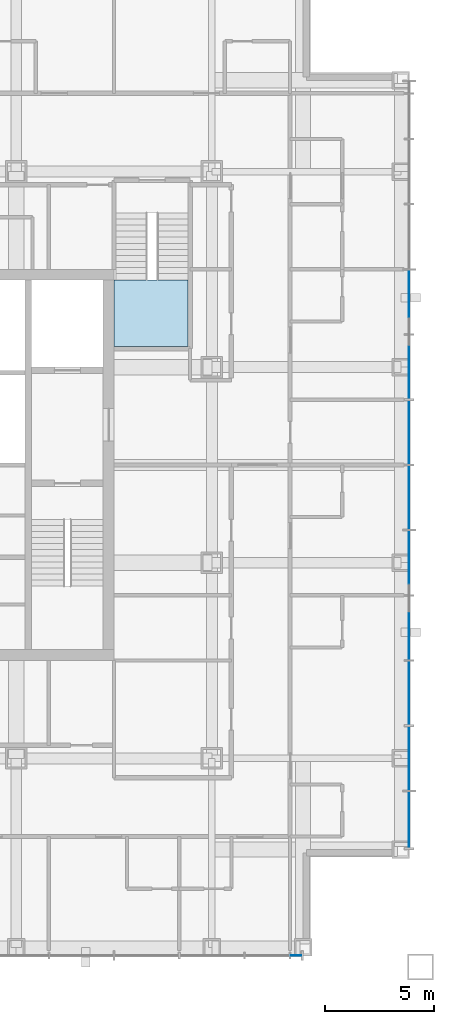
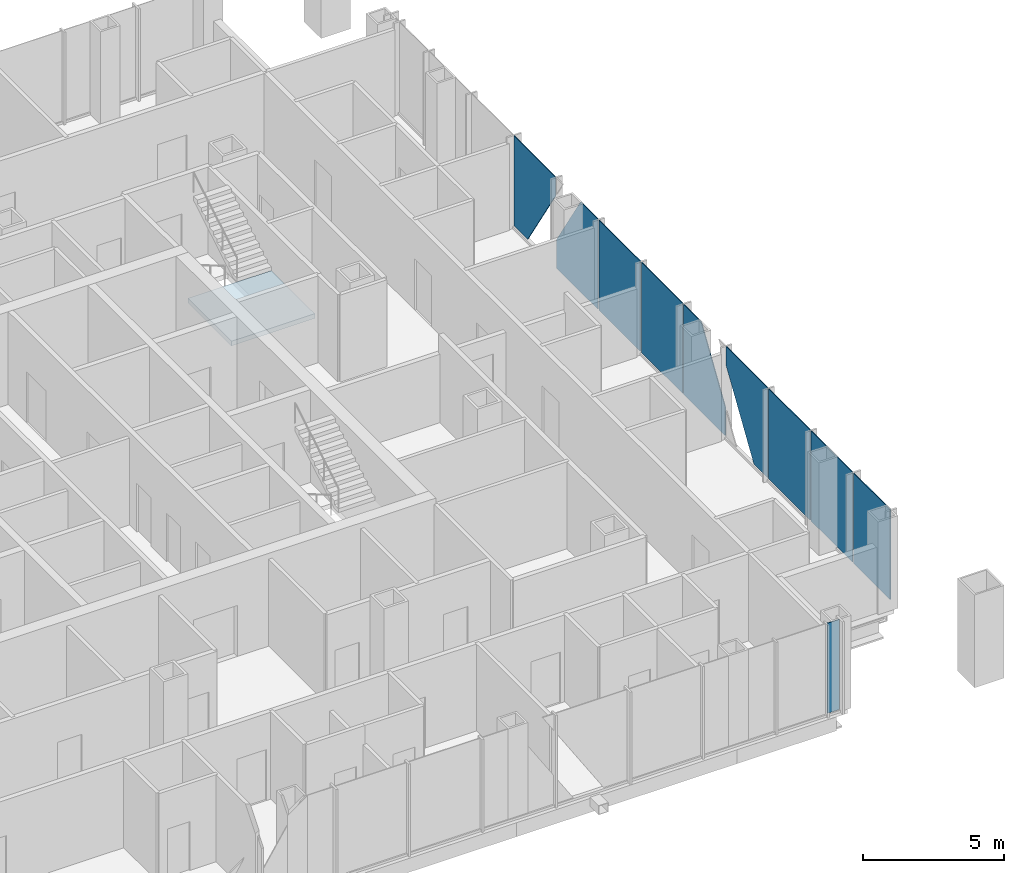
# One storey, part 9 of 20: 10 plates, 1 slab, 3 elements without a shape of their own.
"""IFC4 building model written with IfcOpenShell, lengths in metres."""

import ifcopenshell
import ifcopenshell.guid

model = None  # the IFC model being written
_history = None  # IfcOwnerHistory: only IFC2X3 demands one
_inside = {}  # id of a spatial element -> (the spatial element, [elements in it])
_under = {}  # id of a project, library or spatial element -> (it, [spatial elements below it])
_declared = {}  # id of a project -> (the project, [libraries it declares])
_typed = {}  # id of a type object -> (the type object, [elements of that type])
_made_of = {}  # id of a material, layer set ... -> (it, [elements and type objects made of it])


def new_model(schema):
    """Start an empty IFC model of exactly this schema.

    Asked for "IFC4X3", IfcOpenShell would pick the latest addendum, in which some entities
    have other attributes; the version numbers below select the first issue.
    IFC2X3 requires an IfcOwnerHistory on every rooted entity: one is made here for all.
    """
    global model, _history
    if schema == "IFC4X3":
        model = ifcopenshell.file(schema_version=(4, 3, 0, 0))
    else:
        model = ifcopenshell.file(schema=schema)
    _inside.clear()
    _under.clear()
    _declared.clear()
    _typed.clear()
    _made_of.clear()
    _history = None
    if model.schema == "IFC2X3":
        org = make("IfcOrganization", Name="unknown")
        user = make(
            "IfcPersonAndOrganization",
            ThePerson=make("IfcPerson", FamilyName="unknown"),
            TheOrganization=org,
        )
        app = make(
            "IfcApplication",
            ApplicationDeveloper=org,
            Version="unknown",
            ApplicationFullName="unknown",
            ApplicationIdentifier="unknown",
        )
        _history = make(
            "IfcOwnerHistory",
            OwningUser=user,
            OwningApplication=app,
            ChangeAction="ADDED",
            CreationDate=0,
        )
    return model


def make(cls, **values):
    """One entity of the class cls with the attributes given. An attribute that is None is left unset."""
    return model.create_entity(
        cls, **{name: value for name, value in values.items() if value is not None}
    )


def rooted(cls, **values):
    """An entity with a GlobalId (a new one), such as an element, a storey or a relation."""
    return make(cls, GlobalId=ifcopenshell.guid.new(), OwnerHistory=_history, **values)


def si_unit(unit_type, name, prefix=None):
    """IfcSIUnit, for example si_unit("LENGTHUNIT", "METRE", prefix="MILLI")."""
    return make("IfcSIUnit", UnitType=unit_type, Prefix=prefix, Name=name)


def assignment(units):
    """IfcUnitAssignment: the units of a project."""
    return None if units is None else make("IfcUnitAssignment", Units=units)


def point(xyz):
    """IfcCartesianPoint."""
    return None if xyz is None else make("IfcCartesianPoint", Coordinates=xyz)


def direction(xyz):
    """IfcDirection."""
    return None if xyz is None else make("IfcDirection", DirectionRatios=xyz)


def frame(location, z_axis=None, x_axis=None):
    """IfcAxis2Placement3D, a coordinate frame: its origin and axes. An axis left out is left unset."""
    return make(
        "IfcAxis2Placement3D",
        Location=point(location),
        Axis=direction(z_axis),
        RefDirection=direction(x_axis),
    )


def frame_2d(location, x_axis=None):
    """IfcAxis2Placement2D, a coordinate frame in the plane: its origin and x axis."""
    return make(
        "IfcAxis2Placement2D", Location=point(location), RefDirection=direction(x_axis)
    )


def origin():
    """The frame at (0, 0, 0) with its axes left unset."""
    return frame((0.0, 0.0, 0.0))


def origin_2d():
    """The frame at (0, 0) in the plane with its x axis left unset."""
    return frame_2d((0.0, 0.0))


def place(relative_to, where):
    """IfcLocalPlacement: puts the frame where relative to a parent placement (None: the world)."""
    return make(
        "IfcLocalPlacement", PlacementRelTo=relative_to, RelativePlacement=where
    )


def context(
    kind, dimensions, precision=None, world=None, true_north=None, identifier=None
):
    """IfcGeometricRepresentationContext, for example the 3D "Model" context."""
    return make(
        "IfcGeometricRepresentationContext",
        ContextIdentifier=identifier,
        ContextType=kind,
        CoordinateSpaceDimension=dimensions,
        Precision=precision,
        WorldCoordinateSystem=world,
        TrueNorth=true_north,
    )


def subcontext(parent, identifier, kind, view, scale=None):
    """IfcGeometricRepresentationSubContext, for example "Body" below "Model"."""
    return make(
        "IfcGeometricRepresentationSubContext",
        ContextIdentifier=identifier,
        ContextType=kind,
        ParentContext=parent,
        TargetScale=scale,
        TargetView=view,
    )


def project(units=None, contexts=None):
    """IfcProject with its units and contexts."""
    return rooted(
        "IfcProject",
        Name="project",
        RepresentationContexts=contexts,
        UnitsInContext=assignment(units),
    )


def spatial(cls, under=None, at=None, **own):
    """A site, building, storey or space (cls), placed at a placement, below another one or the project."""
    s = rooted(cls, ObjectPlacement=at, **own)
    if under is not None:
        _under.setdefault(under.id(), (under, []))[1].append(s)
    return s


def polyline(points):
    """IfcPolyline through the points."""
    return make("IfcPolyline", Points=[point(p) for p in points])


def profile(cls, at=None, kind="AREA", **sizes):
    """A parametric profile (cls). Its sizes go by their IFC names, for example OverallWidth=200.0."""
    return make(cls, ProfileType=kind, Position=at, **sizes)


def rectangle(**sizes):
    """IfcRectangleProfileDef."""
    return profile("IfcRectangleProfileDef", **sizes)


def outline(outer, holes=None, kind="AREA"):
    """IfcArbitraryClosedProfileDef: a profile drawn as a closed curve; with holes, ...WithVoids."""
    if holes is None:
        return make("IfcArbitraryClosedProfileDef", ProfileType=kind, OuterCurve=outer)
    return make(
        "IfcArbitraryProfileDefWithVoids",
        ProfileType=kind,
        OuterCurve=outer,
        InnerCurves=holes,
    )


def extrude(swept, where, along, depth):
    """IfcExtrudedAreaSolid: the profile swept, set in the frame where, extruded along a direction by depth."""
    return make(
        "IfcExtrudedAreaSolid",
        SweptArea=swept,
        Position=where,
        ExtrudedDirection=direction(along),
        Depth=depth,
    )


def shape(context_of_items, identifier, shape_type, items):
    """IfcShapeRepresentation: the items that make up one representation, for example the "Body"."""
    return make(
        "IfcShapeRepresentation",
        ContextOfItems=context_of_items,
        RepresentationIdentifier=identifier,
        RepresentationType=shape_type,
        Items=items,
    )


def material(Name=None, Category=None):
    """IfcMaterial."""
    return make("IfcMaterial", Name=Name, Category=Category)


def layer(
    of_material, thickness, ventilated=None, Name=None, Category=None, Priority=None
):
    """IfcMaterialLayer: one layer of a wall or slab, of a material (None: an air gap)."""
    return make(
        "IfcMaterialLayer",
        Material=of_material,
        LayerThickness=thickness,
        IsVentilated=ventilated,
        Name=Name,
        Category=Category,
        Priority=Priority,
    )


def layer_set(layers, Name=None):
    """IfcMaterialLayerSet."""
    return make("IfcMaterialLayerSet", MaterialLayers=layers, LayerSetName=Name)


def made_of(thing, what):
    """Note that an element or type object is made of a material, layer set ...; save() writes the relation."""
    if what is not None:
        _made_of.setdefault(what.id(), (what, []))[1].append(thing)
    return thing


def type_object(cls, material=None, **own):
    """A type object (cls), such as IfcWallType, which elements share."""
    return made_of(rooted(cls, **own), material)


def element(
    cls,
    number,
    at=None,
    inside=None,
    cuts=None,
    type_object=None,
    material=None,
    context=None,
    identifier="Body",
    shape_type=None,
    held_by="IfcProductDefinitionShape",
    body=None,
    shapes=None,
    **own,
):
    """One element of the class cls, such as IfcWall. Its Tag is "e" and its number.

    at: its placement. inside: the storey or other place that contains it. cuts: it is an
    opening in that element (IfcRelVoidsElement). A single representation is given by context,
    identifier, shape_type and body (its items); several are given by shapes. held_by: the class
    of the entity that holds the representations. save() writes the other relations.
    """
    e = rooted(cls, Tag="e%d" % number, ObjectPlacement=at, **own)
    if body is not None:
        shapes = [shape(context, identifier, shape_type, body)]
    if shapes is not None:
        e.Representation = make(held_by, Representations=shapes)
    if inside is not None:
        _inside.setdefault(inside.id(), (inside, []))[1].append(e)
    if cuts is not None:
        rooted(
            "IfcRelVoidsElement", RelatingBuildingElement=cuts, RelatedOpeningElement=e
        )
    if type_object is not None:
        _typed.setdefault(type_object.id(), (type_object, []))[1].append(e)
    return made_of(e, material)


def aggregate(whole, parts):
    """IfcRelAggregates: a whole, such as a stair, and the parts it consists of."""
    return rooted("IfcRelAggregates", RelatingObject=whole, RelatedObjects=parts)


def save(model, path):
    """Write the relations noted so far, then the file.

    IfcRelAggregates (storeys below a building ...), IfcRelContainedInSpatialStructure (elements
    in a storey), IfcRelDefinesByType, IfcRelAssociatesMaterial and IfcRelDeclares: one each for
    every whole, place, type object, material and project.
    """
    for whole, parts in _under.values():
        aggregate(whole, parts)
    for where, things in _inside.values():
        rooted(
            "IfcRelContainedInSpatialStructure",
            RelatedElements=things,
            RelatingStructure=where,
        )
    for kind, things in _typed.values():
        rooted("IfcRelDefinesByType", RelatedObjects=things, RelatingType=kind)
    for what, things in _made_of.values():
        rooted("IfcRelAssociatesMaterial", RelatedObjects=things, RelatingMaterial=what)
    for by, libraries in _declared.values():
        rooted("IfcRelDeclares", RelatingContext=by, RelatedDefinitions=libraries)
    model.write(path)


model = new_model("IFC4")

# Units and contexts
model_context = context("Model", 3, precision=1e-05, world=origin(), true_north=direction((0.0, 1.0)))
body_context = subcontext(model_context, "Body", "Model", "MODEL_VIEW")
ifc_project = project(units=[si_unit("LENGTHUNIT", "METRE"), si_unit("AREAUNIT", "SQUARE_METRE"), si_unit("VOLUMEUNIT", "CUBIC_METRE"), si_unit("PLANEANGLEUNIT", "RADIAN"), si_unit("MASSUNIT", "GRAM", prefix="KILO")], contexts=[model_context])

# Site, building, storey
site_placement = place(None, origin())
site = spatial("IfcSite", under=ifc_project, at=site_placement, CompositionType="ELEMENT")
building_placement = place(site_placement, origin())
building = spatial("IfcBuilding", under=site, at=building_placement, Name="Malebo Sky Hospital", CompositionType="ELEMENT")
storey_placement = place(building_placement, frame((0.0, 0.0, 233.0)))
storey = spatial("IfcBuildingStorey", under=building, at=storey_placement, Name="L56", CompositionType="ELEMENT", Elevation=233.0)

# Stair, slab
ifc_material_1 = material(Name="Concrete C40/50", Category="concrete")
stair_type = type_object("IfcStairType", Name="HALF-TURN STAIR 1400 R167", PredefinedType="HALF_TURN_STAIR", material=ifc_material_1)
stair_placement = place(storey_placement, origin())
stair = element("IfcStair", 1, at=stair_placement, inside=storey, type_object=stair_type, Name="Stair S3 L56 type ST1B", PredefinedType="HALF_TURN_STAIR")
ifc_layer_1 = layer(ifc_material_1, 0.199951171875)
ifc_layer_set_1 = layer_set([ifc_layer_1], Name="STAIR LANDING 200")
slab_type = type_object("IfcSlabType", Name="STAIR LANDING 200", PredefinedType="LANDING", material=ifc_layer_set_1)
slab_placement = place(storey_placement, frame((0.0, 0.0, 1.800048828125)))
slab = element("IfcSlab", 2, at=slab_placement, type_object=slab_type, Name="S3 landing 2", PredefinedType="LANDING", context=body_context, shape_type="SweptSolid", body=[
    extrude(outline(polyline([(69.0, 67.449951171875), (72.39990234375, 67.449951171875), (72.39990234375, 70.52001953125), (69.0, 70.52001953125), (69.0, 67.449951171875)])), origin(), (0.0, 0.0, 1.0), 0.199951171875),
])
aggregate(stair, [slab])

# Curtain wall, plate
ifc_material_2 = material(Name="Anodised aluminium, natural silver", Category="aluminium")
ifc_layer_2 = layer(ifc_material_2, 0.25)
ifc_layer_set_2 = layer_set([ifc_layer_2], Name="WARD CURTAIN WALL NORTH AND SOUTH")
curtain_wall_type_1 = type_object("IfcCurtainWallType", Name="WARD CURTAIN WALL NORTH AND SOUTH", PredefinedType="NOTDEFINED", material=ifc_layer_set_2)
curtain_wall_1_placement = place(storey_placement, origin())
curtain_wall_1 = element("IfcCurtainWall", 3, at=curtain_wall_1_placement, inside=storey, type_object=curtain_wall_type_1, Name="NS curtain wall S", PredefinedType="NOTDEFINED")
ifc_material_3 = material(Name="Clear low-iron double glazing", Category="glass")
ifc_layer_3 = layer(ifc_material_3, 0.031982421875)
ifc_layer_set_3 = layer_set([ifc_layer_3], Name="VISION PANEL CLEAR 32")
plate_type = type_object("IfcPlateType", Name="VISION PANEL CLEAR 32", PredefinedType="CURTAIN_PANEL", material=ifc_layer_set_3)
plate_1_placement = place(storey_placement, frame((77.38134765625, 39.425048828125, 0.10009765625), z_axis=(0.0, 0.0, 1.0), x_axis=(-1.0, 0.0, 0.0)))
plate_1 = element("IfcPlate", 4, at=plate_1_placement, type_object=plate_type, Name="Panel 1", PredefinedType="CURTAIN_PANEL", context=body_context, shape_type="SweptSolid", body=[
    extrude(rectangle(XDim=0.487548828125, YDim=0.031982421875, at=origin_2d()), origin(), (0.0, 0.0, 1.0), 3.889892578125),
])
aggregate(curtain_wall_1, [plate_1])

# Curtain wall, plates
ifc_layer_4 = layer(ifc_material_2, 0.25)
ifc_layer_set_4 = layer_set([ifc_layer_4], Name="WARD CURTAIN WALL EAST AND WEST")
curtain_wall_type_2 = type_object("IfcCurtainWallType", Name="WARD CURTAIN WALL EAST AND WEST", PredefinedType="NOTDEFINED", material=ifc_layer_set_4)
curtain_wall_2_placement = place(storey_placement, origin())
curtain_wall_2 = element("IfcCurtainWall", 5, at=curtain_wall_2_placement, inside=storey, type_object=curtain_wall_type_2, Name="EW curtain wall E", PredefinedType="NOTDEFINED")
plate_2_placement = place(storey_placement, frame((82.574951171875, 69.5, 0.10009765625), z_axis=(0.0, 0.0, 1.0), x_axis=(0.0, -1.0, 0.0)))
plate_2 = element("IfcPlate", 6, at=plate_2_placement, type_object=plate_type, Name="Panel 5", PredefinedType="CURTAIN_PANEL", context=body_context, shape_type="SweptSolid", body=[
    extrude(outline(polyline([(-1.46240234375, 0.0), (-0.503662109375, 0.0), (1.46240234375, 3.064208984375), (1.46240234375, 3.889892578125), (-1.46240234375, 3.889892578125), (-1.46240234375, 0.0)])), frame((0.0, 0.01611328125, 0.0), z_axis=(0.0, -1.0, 0.0), x_axis=(1.0, 0.0, 0.0)), (0.0, 0.0, 1.0), 0.031982421875),
])
plate_3_placement = place(storey_placement, frame((82.574951171875, 66.5, 0.10009765625), z_axis=(0.0, 0.0, 1.0), x_axis=(0.0, -1.0, 0.0)))
plate_3 = element("IfcPlate", 7, at=plate_3_placement, type_object=plate_type, Name="Panel 6", PredefinedType="CURTAIN_PANEL", context=body_context, shape_type="SweptSolid", body=[
    extrude(outline(polyline([(-1.46240234375, 0.0), (1.46240234375, 0.0), (1.46240234375, 3.889892578125), (0.2412109375, 3.889892578125), (-1.46240234375, 1.23486328125), (-1.46240234375, 0.0)])), frame((0.0, 0.01611328125, 0.0), z_axis=(0.0, -1.0, 0.0), x_axis=(1.0, 0.0, 0.0)), (0.0, 0.0, 1.0), 0.031982421875),
])
plate_4_placement = place(storey_placement, frame((82.574951171875, 63.5, 0.10009765625), z_axis=(0.0, 0.0, 1.0), x_axis=(0.0, -1.0, 0.0)))
plate_4 = element("IfcPlate", 8, at=plate_4_placement, type_object=plate_type, Name="Panel 7", PredefinedType="CURTAIN_PANEL", context=body_context, shape_type="SweptSolid", body=[
    extrude(rectangle(XDim=2.925048828125, YDim=0.031982421875, at=origin_2d()), origin(), (0.0, 0.0, 1.0), 3.889892578125),
])
plate_5_placement = place(storey_placement, frame((82.574951171875, 60.5, 0.10009765625), z_axis=(0.0, 0.0, 1.0), x_axis=(0.0, -1.0, 0.0)))
plate_5 = element("IfcPlate", 9, at=plate_5_placement, type_object=plate_type, Name="Panel 8", PredefinedType="CURTAIN_PANEL", context=body_context, shape_type="SweptSolid", body=[
    extrude(rectangle(XDim=2.925048828125, YDim=0.031982421875, at=origin_2d()), origin(), (0.0, 0.0, 1.0), 3.889892578125),
])
plate_6_placement = place(storey_placement, frame((82.574951171875, 57.5, 0.10009765625), z_axis=(0.0, 0.0, 1.0), x_axis=(0.0, -1.0, 0.0)))
plate_6 = element("IfcPlate", 10, at=plate_6_placement, type_object=plate_type, Name="Panel 9", PredefinedType="CURTAIN_PANEL", context=body_context, shape_type="SweptSolid", body=[
    extrude(outline(polyline([(-1.46240234375, 0.0), (1.46240234375, 0.0), (1.46240234375, 1.23486328125), (-0.2412109375, 3.889892578125), (-1.46240234375, 3.889892578125), (-1.46240234375, 0.0)])), frame((0.0, 0.01611328125, 0.0), z_axis=(0.0, -1.0, 0.0), x_axis=(1.0, 0.0, 0.0)), (0.0, 0.0, 1.0), 0.031982421875),
])
plate_7_placement = place(storey_placement, frame((82.574951171875, 54.5, 0.10009765625), z_axis=(0.0, 0.0, 1.0), x_axis=(0.0, -1.0, 0.0)))
plate_7 = element("IfcPlate", 11, at=plate_7_placement, type_object=plate_type, Name="Panel 10", PredefinedType="CURTAIN_PANEL", context=body_context, shape_type="SweptSolid", body=[
    extrude(outline(polyline([(0.503662109375, 0.0), (1.46240234375, 0.0), (1.46240234375, 3.889892578125), (-1.46240234375, 3.889892578125), (-1.46240234375, 3.064208984375), (0.503662109375, 0.0)])), frame((0.0, 0.01611328125, 0.0), z_axis=(0.0, -1.0, 0.0), x_axis=(1.0, 0.0, 0.0)), (0.0, 0.0, 1.0), 0.031982421875),
])
plate_8_placement = place(storey_placement, frame((82.574951171875, 51.5, 0.10009765625), z_axis=(0.0, 0.0, 1.0), x_axis=(0.0, -1.0, 0.0)))
plate_8 = element("IfcPlate", 12, at=plate_8_placement, type_object=plate_type, Name="Panel 11", PredefinedType="CURTAIN_PANEL", context=body_context, shape_type="SweptSolid", body=[
    extrude(rectangle(XDim=2.925048828125, YDim=0.031982421875, at=origin_2d()), origin(), (0.0, 0.0, 1.0), 3.889892578125),
])
plate_9_placement = place(storey_placement, frame((82.574951171875, 48.5, 0.10009765625), z_axis=(0.0, 0.0, 1.0), x_axis=(0.0, -1.0, 0.0)))
plate_9 = element("IfcPlate", 13, at=plate_9_placement, type_object=plate_type, Name="Panel 12", PredefinedType="CURTAIN_PANEL", context=body_context, shape_type="SweptSolid", body=[
    extrude(rectangle(XDim=2.925048828125, YDim=0.031982421875, at=origin_2d()), origin(), (0.0, 0.0, 1.0), 3.889892578125),
])
plate_10_placement = place(storey_placement, frame((82.574951171875, 45.668701171875, 0.10009765625), z_axis=(0.0, 0.0, 1.0), x_axis=(0.0, -1.0, 0.0)))
plate_10 = element("IfcPlate", 14, at=plate_10_placement, type_object=plate_type, Name="Panel 13", PredefinedType="CURTAIN_PANEL", context=body_context, shape_type="SweptSolid", body=[
    extrude(rectangle(XDim=2.58740234375, YDim=0.031982421875, at=origin_2d()), origin(), (0.0, 0.0, 1.0), 3.889892578125),
])
aggregate(curtain_wall_2, [plate_2, plate_3, plate_4, plate_5, plate_6, plate_7, plate_8, plate_9, plate_10])

save(model, "model.ifc")
